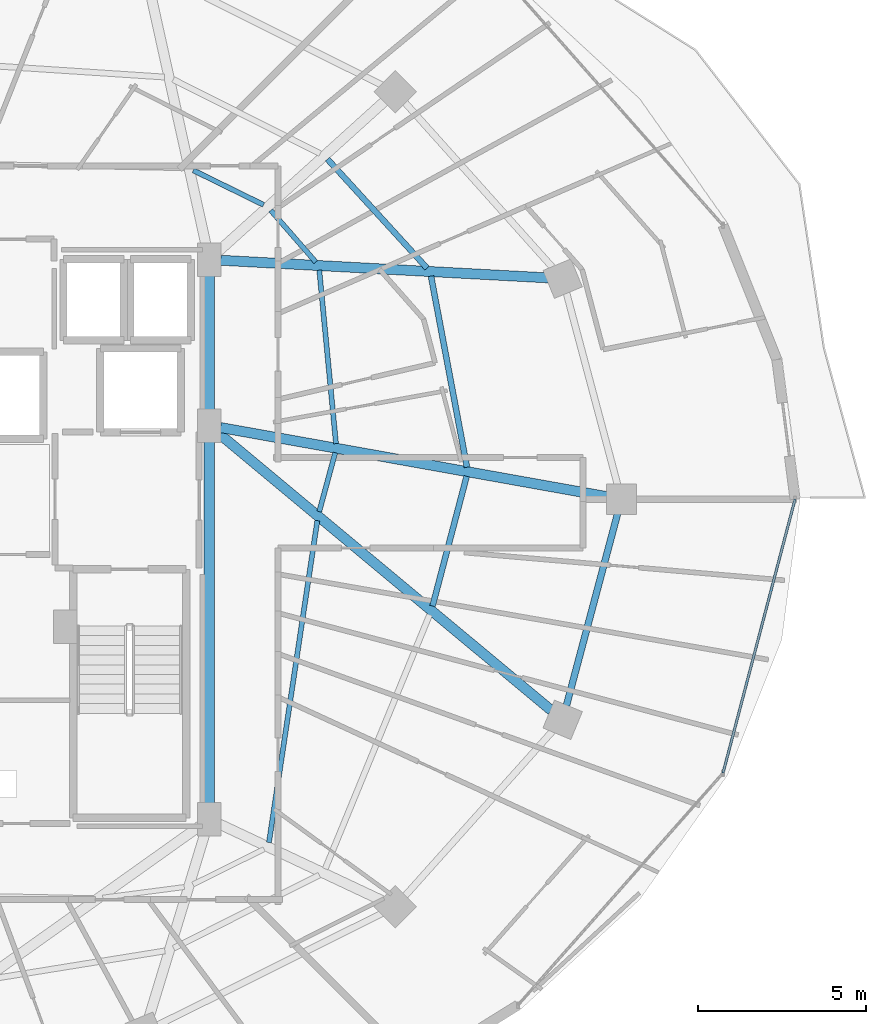
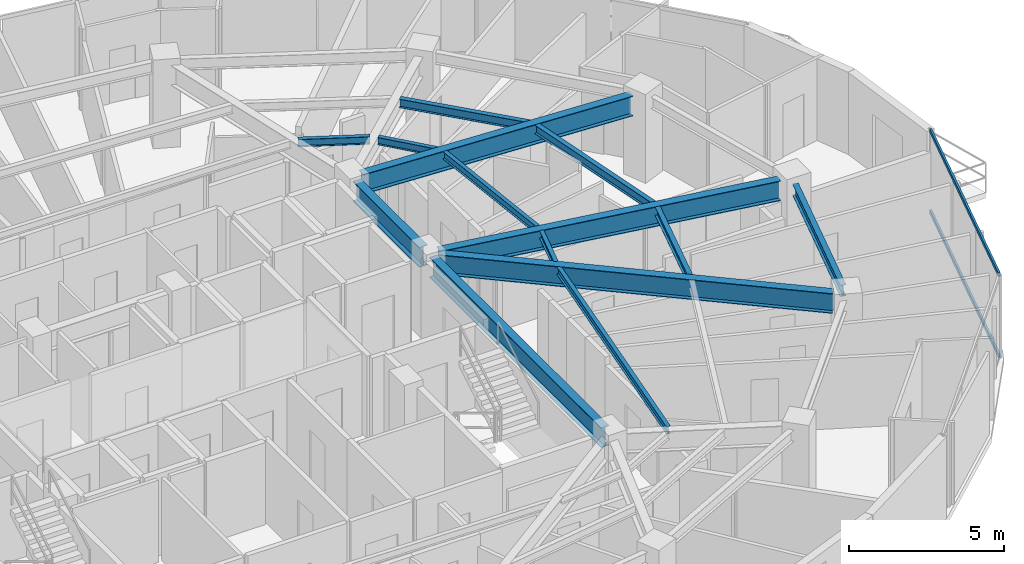
# One storey, part 14 of 34: 14 beams, 2 members, 1 element without a shape of its own.
"""IFC4 building model written with IfcOpenShell, lengths in metres."""

from ifc_helpers import new_model, si_unit, direction, frame, origin, origin_2d, place, context, subcontext, project, spatial, hollow_rectangle, i_section, extrude, material, material_profile, profile_set, type_object, element, aggregate, save


model = new_model("IFC4")

# Units and contexts
model_context = context("Model", 3, precision=1e-05, world=origin(), true_north=direction((0.0, 1.0)))
body_context = subcontext(model_context, "Body", "Model", "MODEL_VIEW")
ifc_project = project(units=[si_unit("LENGTHUNIT", "METRE"), si_unit("AREAUNIT", "SQUARE_METRE"), si_unit("VOLUMEUNIT", "CUBIC_METRE"), si_unit("PLANEANGLEUNIT", "RADIAN"), si_unit("MASSUNIT", "GRAM", prefix="KILO")], contexts=[model_context])

# Site, building, storey
site_placement = place(None, origin())
site = spatial("IfcSite", under=ifc_project, at=site_placement, CompositionType="ELEMENT")
building_placement = place(site_placement, origin())
building = spatial("IfcBuilding", under=site, at=building_placement, Name="Vorneva Point Tower", CompositionType="ELEMENT")
storey_placement = place(building_placement, frame((0.0, 0.0, 186.10009765625)))
storey = spatial("IfcBuildingStorey", under=building, at=storey_placement, Name="L50", CompositionType="ELEMENT", Elevation=186.10009765625)

# Beams
ifc_material_1 = material(Name="Steel S355", Category="steel")
ifc_material_profile_1 = material_profile(ifc_material_1, i_section(OverallWidth=0.300048828125, OverallDepth=0.7880859375, WebThickness=0.014404296875, FlangeThickness=0.02197265625, at=origin_2d()), Name="80Sh1")
ifc_profile_set_1 = profile_set([ifc_material_profile_1], Name="Steel S355")
beam_type_1 = type_object("IfcBeamType", Name="BM-GRD-80Sh1", PredefinedType="USERDEFINED", material=ifc_profile_set_1)
beam_1_placement = place(storey_placement, frame((60.618896484375, 26.0771484375, 2.845947265625), z_axis=(-0.984378602255, 0.176064668298, 0.0), x_axis=(-0.176064668298, -0.984378602255, 0.0)))
element("IfcBeam", 1, at=beam_1_placement, inside=storey, type_object=beam_type_1, Name="L50 Radial Primary Girder 01", ObjectType="GIRDER", PredefinedType="USERDEFINED", context=body_context, shape_type="SweptSolid", body=[
    extrude(i_section(OverallWidth=0.300048828125, OverallDepth=0.7880859375, WebThickness=0.014404296875, FlangeThickness=0.02197265625, at=origin_2d()), origin(), (0.0, 0.0, 1.0), 11.71728515625),
])
beam_2_placement = place(storey_placement, frame((58.85791015625, 32.605712890625, 2.845947265625), z_axis=(-0.998554028182, 0.053757351146, 0.0), x_axis=(-0.053757351146, -0.998554028182, 0.0)))
element("IfcBeam", 2, at=beam_2_placement, inside=storey, type_object=beam_type_1, Name="L50 Radial Primary Girder 02", ObjectType="GIRDER", PredefinedType="USERDEFINED", context=body_context, shape_type="SweptSolid", body=[
    extrude(i_section(OverallWidth=0.300048828125, OverallDepth=0.7880859375, WebThickness=0.014404296875, FlangeThickness=0.02197265625, at=origin_2d()), origin(), (0.0, 0.0, 1.0), 9.782470703125),
])
beam_3_placement = place(storey_placement, frame((58.958740234375, 19.697998046875, 2.845947265625), z_axis=(-0.768417564517, 0.639948784311, 0.0), x_axis=(-0.639948784311, -0.768417564517, 0.0)))
element("IfcBeam", 3, at=beam_3_placement, inside=storey, type_object=beam_type_1, Name="L50 Radial Primary Girder 16", ObjectType="GIRDER", PredefinedType="USERDEFINED", context=body_context, shape_type="SweptSolid", body=[
    extrude(i_section(OverallWidth=0.300048828125, OverallDepth=0.7880859375, WebThickness=0.014404296875, FlangeThickness=0.02197265625, at=origin_2d()), origin(), (0.0, 0.0, 1.0), 12.945556640625),
])
beam_4_placement = place(storey_placement, frame((48.75, 16.77001953125, 2.845947265625), z_axis=(0.0, 1.0, 0.0), x_axis=(-1.0, 0.0, 0.0)))
element("IfcBeam", 4, at=beam_4_placement, inside=storey, type_object=beam_type_1, Name="L50 Core Tie Girder CT3", ObjectType="GIRDER", PredefinedType="USERDEFINED", context=body_context, shape_type="SweptSolid", body=[
    extrude(i_section(OverallWidth=0.300048828125, OverallDepth=0.7880859375, WebThickness=0.014404296875, FlangeThickness=0.02197265625, at=origin_2d()), origin(), (0.0, 0.0, 1.0), 11.10986328125),
])
beam_5_placement = place(storey_placement, frame((48.75, 28.52001953125, 2.845947265625), z_axis=(0.0, 1.0, 0.0), x_axis=(-1.0, 0.0, 0.0)))
element("IfcBeam", 5, at=beam_5_placement, inside=storey, type_object=beam_type_1, Name="L50 Core Tie Girder CT4", ObjectType="GIRDER", PredefinedType="USERDEFINED", context=body_context, shape_type="SweptSolid", body=[
    extrude(i_section(OverallWidth=0.300048828125, OverallDepth=0.7880859375, WebThickness=0.014404296875, FlangeThickness=0.02197265625, at=origin_2d()), origin(), (0.0, 0.0, 1.0), 4.31005859375),
])
ifc_material_profile_2 = material_profile(ifc_material_1, i_section(OverallWidth=0.14892578125, OverallDepth=0.298095703125, WebThickness=0.005615234375, FlangeThickness=0.008056640625, at=origin_2d()), Name="30B1")
ifc_profile_set_2 = profile_set([ifc_material_profile_2], Name="Steel S355")
beam_type_2 = type_object("IfcBeamType", Name="BM-JST-30B1", PredefinedType="JOIST", material=ifc_profile_set_2)
beam_6_placement = place(storey_placement, frame((52.53173828125, 27.65869140625, 3.0908203125), z_axis=(-0.095841188908, 0.995396637783, 0.0), x_axis=(-0.995396637783, -0.095841188908, 0.0)))
element("IfcBeam", 6, at=beam_6_placement, inside=storey, type_object=beam_type_2, Name="L50 Secondary Floor Beam 2.01", PredefinedType="JOIST", context=body_context, shape_type="SweptSolid", body=[
    extrude(i_section(OverallWidth=0.14892578125, OverallDepth=0.298095703125, WebThickness=0.005615234375, FlangeThickness=0.008056640625, at=origin_2d()), origin(), (0.0, 0.0, 1.0), 5.20166015625),
])
beam_7_placement = place(storey_placement, frame((51.929443359375, 33.077880859375, 3.0908203125), z_axis=(-0.657025730744, 0.753868151032, 0.0), x_axis=(-0.753868151032, -0.657025730744, 0.0)))
element("IfcBeam", 7, at=beam_7_placement, inside=storey, type_object=beam_type_2, Name="L50 Secondary Floor Beam 2.02", PredefinedType="JOIST", context=body_context, shape_type="SweptSolid", body=[
    extrude(i_section(OverallWidth=0.14892578125, OverallDepth=0.298095703125, WebThickness=0.005615234375, FlangeThickness=0.008056640625, at=origin_2d()), origin(), (0.0, 0.0, 1.0), 2.047119140625),
])
beam_8_placement = place(storey_placement, frame((50.369873046875, 34.785888671875, 3.0908203125), z_axis=(-0.897704429199, 0.440598181789, 0.0), x_axis=(-0.440598181789, -0.897704429199, 0.0)))
element("IfcBeam", 8, at=beam_8_placement, inside=storey, type_object=beam_type_2, Name="L50 Secondary Floor Beam 2.03", PredefinedType="JOIST", context=body_context, shape_type="SweptSolid", body=[
    extrude(i_section(OverallWidth=0.14892578125, OverallDepth=0.298095703125, WebThickness=0.005615234375, FlangeThickness=0.008056640625, at=origin_2d()), origin(), (0.0, 0.0, 1.0), 2.336669921875),
])
beam_9_placement = place(storey_placement, frame((50.531494140625, 15.75732421875, 3.0908203125), z_axis=(0.14865392948, 0.988889280582, 0.0), x_axis=(-0.988889280582, 0.14865392948, 0.0)))
element("IfcBeam", 9, at=beam_9_placement, inside=storey, type_object=beam_type_2, Name="L50 Secondary Floor Beam 2.15", PredefinedType="JOIST", context=body_context, shape_type="SweptSolid", body=[
    extrude(i_section(OverallWidth=0.14892578125, OverallDepth=0.298095703125, WebThickness=0.005615234375, FlangeThickness=0.008056640625, at=origin_2d()), origin(), (0.0, 0.0, 1.0), 9.711181640625),
])
beam_10_placement = place(storey_placement, frame((52.03173828125, 25.63037109375, 3.0908203125), z_axis=(0.261948847975, 0.965081758736, 0.0), x_axis=(-0.965081758736, 0.261948847975, 0.0)))
element("IfcBeam", 10, at=beam_10_placement, inside=storey, type_object=beam_type_2, Name="L50 Secondary Floor Beam 2.16", PredefinedType="JOIST", context=body_context, shape_type="SweptSolid", body=[
    extrude(i_section(OverallWidth=0.14892578125, OverallDepth=0.298095703125, WebThickness=0.005615234375, FlangeThickness=0.008056640625, at=origin_2d()), origin(), (0.0, 0.0, 1.0), 1.821044921875),
])
ifc_material_profile_3 = material_profile(ifc_material_1, i_section(OverallWidth=0.174072265625, OverallDepth=0.345947265625, WebThickness=0.006103515625, FlangeThickness=0.009033203125, at=origin_2d()), Name="35B1")
ifc_profile_set_3 = profile_set([ifc_material_profile_3], Name="Steel S355")
beam_type_3 = type_object("IfcBeamType", Name="BM-SEC-35B1", PredefinedType="BEAM", material=ifc_profile_set_3)
beam_11_placement = place(storey_placement, frame((56.44091796875, 26.955322265625, 3.06689453125), z_axis=(-0.1850300408, 0.982732865026, 0.0), x_axis=(-0.982732865026, -0.1850300408, 0.0)))
element("IfcBeam", 11, at=beam_11_placement, inside=storey, type_object=beam_type_3, Name="L50 Secondary Floor Beam 1.01", PredefinedType="BEAM", context=body_context, shape_type="SweptSolid", body=[
    extrude(i_section(OverallWidth=0.174072265625, OverallDepth=0.345947265625, WebThickness=0.006103515625, FlangeThickness=0.009033203125, at=origin_2d()), origin(), (0.0, 0.0, 1.0), 5.804443359375),
])
beam_12_placement = place(storey_placement, frame((55.248291015625, 32.89697265625, 3.06689453125), z_axis=(-0.674381040012, 0.738383513407, 0.0), x_axis=(-0.738383513407, -0.674381040012, 0.0)))
element("IfcBeam", 12, at=beam_12_placement, inside=storey, type_object=beam_type_3, Name="L50 Secondary Floor Beam 1.02", PredefinedType="BEAM", context=body_context, shape_type="SweptSolid", body=[
    extrude(i_section(OverallWidth=0.174072265625, OverallDepth=0.345947265625, WebThickness=0.006103515625, FlangeThickness=0.009033203125, at=origin_2d()), origin(), (0.0, 0.0, 1.0), 4.40576171875),
])
beam_13_placement = place(storey_placement, frame((55.412841796875, 22.81396484375, 3.06689453125), z_axis=(0.254382249657, 0.96710375403, 0.0), x_axis=(-0.96710375403, 0.254382249657, 0.0)))
element("IfcBeam", 13, at=beam_13_placement, inside=storey, type_object=beam_type_3, Name="L50 Secondary Floor Beam 1.16", PredefinedType="BEAM", context=body_context, shape_type="SweptSolid", body=[
    extrude(i_section(OverallWidth=0.174072265625, OverallDepth=0.345947265625, WebThickness=0.006103515625, FlangeThickness=0.009033203125, at=origin_2d()), origin(), (0.0, 0.0, 1.0), 4.004150390625),
])
ifc_material_profile_4 = material_profile(ifc_material_1, i_section(OverallWidth=0.198974609375, OverallDepth=0.446044921875, WebThickness=0.008056640625, FlangeThickness=0.011962890625, at=origin_2d()), Name="45B1")
ifc_profile_set_4 = profile_set([ifc_material_profile_4], Name="Steel S355")
beam_type_4 = type_object("IfcBeamType", Name="BM-SPN-45B1", PredefinedType="SPANDREL", material=ifc_profile_set_4)
beam_14_placement = place(storey_placement, frame((59.407470703125, 19.838134765625, 3.016845703125), z_axis=(0.257578258003, 0.966257440336, 0.0), x_axis=(-0.966257440336, 0.257578258003, 0.0)))
element("IfcBeam", 14, at=beam_14_placement, inside=storey, type_object=beam_type_4, Name="L50 Perimeter Spandrel Ring Beam 16", PredefinedType="SPANDREL", context=body_context, shape_type="SweptSolid", body=[
    extrude(i_section(OverallWidth=0.198974609375, OverallDepth=0.446044921875, WebThickness=0.008056640625, FlangeThickness=0.011962890625, at=origin_2d()), origin(), (0.0, 0.0, 1.0), 5.94189453125),
])

# Curtain wall, members
ifc_material_2 = material(Name="Pale anodised aluminium", Category="aluminium")
curtain_wall_type = type_object("IfcCurtainWallType", Name="CW-RES-SYS", PredefinedType="NOTDEFINED", material=ifc_material_2)
curtain_wall_placement = place(storey_placement, origin())
curtain_wall = element("IfcCurtainWall", 15, at=curtain_wall_placement, inside=storey, type_object=curtain_wall_type, Name="L50 Unitised Curtain Wall CW-L50-R04", PredefinedType="NOTDEFINED")
ifc_material_profile_5 = material_profile(ifc_material_2, hollow_rectangle(XDim=0.074951171875, YDim=0.14990234375, WallThickness=0.00390625, at=origin_2d()), Name="AL-TRN 150x75x4")
ifc_profile_set_5 = profile_set([ifc_material_profile_5], Name="Pale anodised aluminium")
member_type = type_object("IfcMemberType", Name="CW-TRN-150", PredefinedType="USERDEFINED", material=ifc_profile_set_5)
member_1_placement = place(storey_placement, frame((64.0810546875, 17.82958984375, 0.02001953125), z_axis=(0.254362431281, 0.967108966742, 0.0), x_axis=(-0.967108966742, 0.254362431281, 0.0)))
member_1 = element("IfcMember", 16, at=member_1_placement, type_object=member_type, Name="CW-L50-R04 Transom 02.1", ObjectType="TRANSOM", PredefinedType="USERDEFINED", context=body_context, shape_type="SweptSolid", body=[
    extrude(hollow_rectangle(XDim=0.074951171875, YDim=0.14990234375, WallThickness=0.00390625, at=origin_2d()), origin(), (0.0, 0.0, 1.0), 8.4482421875),
])
member_2_placement = place(storey_placement, frame((64.0810546875, 17.82958984375, 3.219970703125), z_axis=(0.254362431281, 0.967108966742, 0.0), x_axis=(-0.967108966742, 0.254362431281, 0.0)))
member_2 = element("IfcMember", 17, at=member_2_placement, type_object=member_type, Name="CW-L50-R04 Transom 02.2", ObjectType="TRANSOM", PredefinedType="USERDEFINED", context=body_context, shape_type="SweptSolid", body=[
    extrude(hollow_rectangle(XDim=0.074951171875, YDim=0.14990234375, WallThickness=0.00390625, at=origin_2d()), origin(), (0.0, 0.0, 1.0), 8.4482421875),
])
aggregate(curtain_wall, [member_1, member_2])

save(model, "model.ifc")
